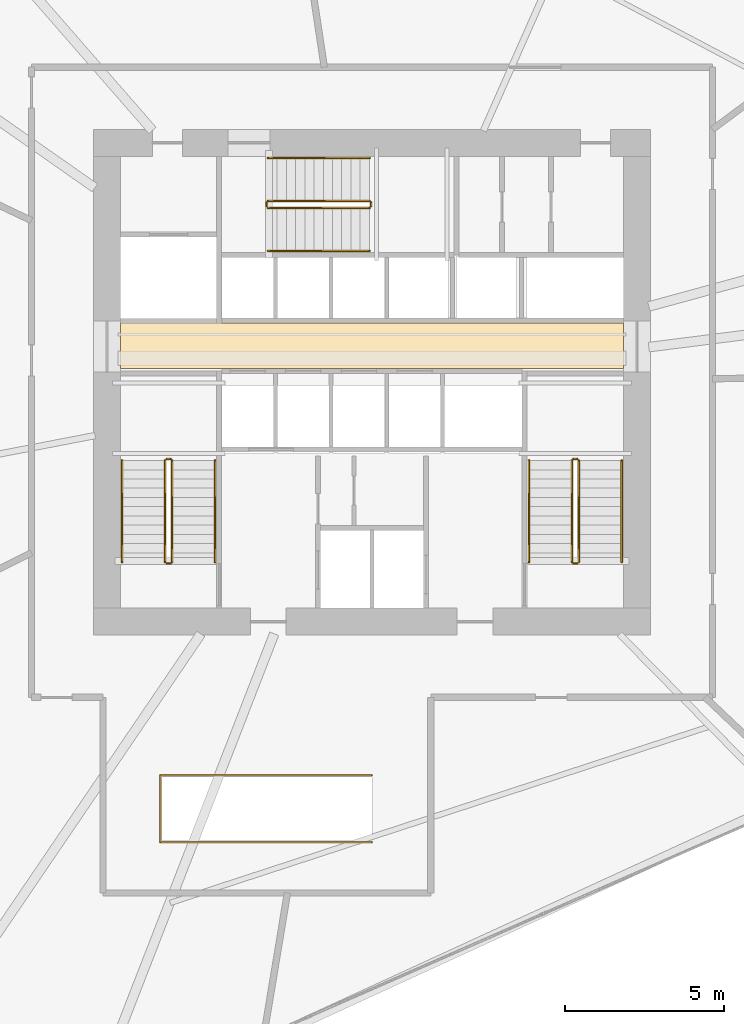
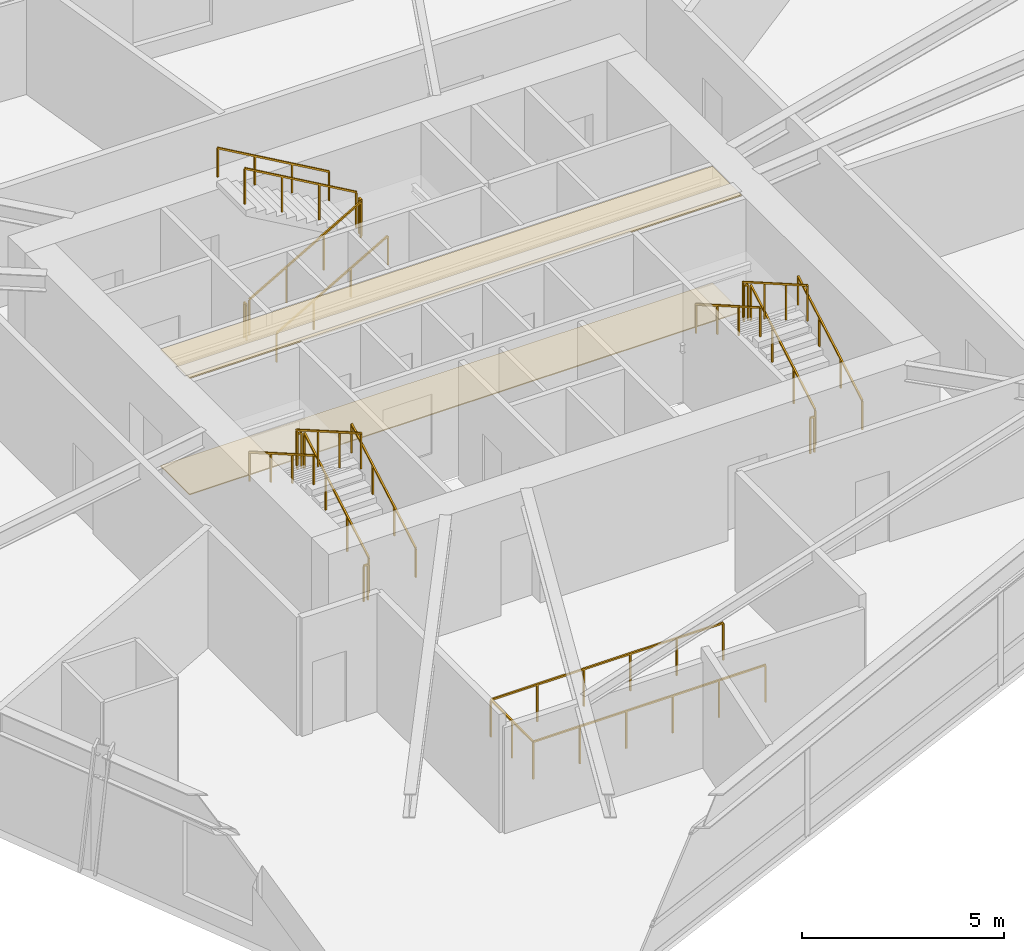
# One storey, part 17 of 17: 19 railings, 2 coverings.
"""IFC4 building model written with IfcOpenShell, lengths in metres."""

from ifc_helpers import new_model, si_unit, direction, frame, origin, origin_2d, place, context, subcontext, project, spatial, polyline, rectangle, outline, extrude, material, layer, layer_set, type_object, element, save


model = new_model("IFC4")

# Units and contexts
model_context = context("Model", 3, precision=1e-05, world=origin(), true_north=direction((0.0, 1.0)))
body_context = subcontext(model_context, "Body", "Model", "MODEL_VIEW")
ifc_project = project(units=[si_unit("LENGTHUNIT", "METRE"), si_unit("AREAUNIT", "SQUARE_METRE"), si_unit("VOLUMEUNIT", "CUBIC_METRE"), si_unit("PLANEANGLEUNIT", "RADIAN"), si_unit("MASSUNIT", "GRAM", prefix="KILO")], contexts=[model_context])

# Site, building, storey
site_placement = place(None, origin())
site = spatial("IfcSite", under=ifc_project, at=site_placement, CompositionType="ELEMENT")
building_placement = place(site_placement, origin())
building = spatial("IfcBuilding", under=site, at=building_placement, Name="Olszyna Solenne Hotel", CompositionType="ELEMENT")
storey_placement = place(building_placement, frame((0.0, 0.0, 75.89990234375)))
storey = spatial("IfcBuildingStorey", under=building, at=storey_placement, Name="L19", CompositionType="ELEMENT", Elevation=75.89990234375)

# Coverings
ifc_material_1 = material(Name="Mineral wool acoustic ceiling")
ifc_layer_1 = layer(ifc_material_1, 0.0400390625, Name="Mineral wool acoustic ceiling")
ifc_layer_set_1 = layer_set([ifc_layer_1], Name="Mineral wool acoustic ceiling")
covering_type_1 = type_object("IfcCoveringType", Name="CL-AC1", PredefinedType="CEILING", material=ifc_layer_set_1)
covering_1_placement = place(storey_placement, frame((0.0, 0.0, 3.52001953125)))
element("IfcCovering", 1, at=covering_1_placement, inside=storey, type_object=covering_type_1, Name="Lift lobby acoustic tile ceiling CL-L19-01", PredefinedType="CEILING", context=body_context, shape_type="SweptSolid", body=[
    extrude(outline(polyline([(30.10009765625, 27.030029296875), (45.89990234375, 27.030029296875), (45.89990234375, 28.4599609375), (30.10009765625, 28.4599609375), (30.10009765625, 27.030029296875)])), origin(), (0.0, 0.0, 1.0), 0.0400390625),
])
ifc_material_2 = material(Name="Ceramic floor tile")
ifc_layer_2 = layer(ifc_material_2, 0.030029296875, Name="Ceramic floor tile")
ifc_layer_set_2 = layer_set([ifc_layer_2], Name="Ceramic floor tile")
covering_type_2 = type_object("IfcCoveringType", Name="FL-TL1", PredefinedType="FLOORING", material=ifc_layer_set_2)
covering_2_placement = place(storey_placement, origin())
element("IfcCovering", 2, at=covering_2_placement, inside=storey, type_object=covering_type_2, Name="Lift lobby stoneware floor finish FLR-L19-01", PredefinedType="FLOORING", context=body_context, shape_type="SweptSolid", body=[
    extrude(outline(polyline([(30.10009765625, 27.030029296875), (45.89990234375, 27.030029296875), (45.89990234375, 28.4599609375), (30.10009765625, 28.4599609375), (30.10009765625, 27.030029296875)])), origin(), (0.0, 0.0, 1.0), 0.030029296875),
])

# Railings
ifc_material_3 = material(Name="Anodised bronze aluminium", Category="aluminium")
railing_type_1 = type_object("IfcRailingType", Name="GR-110", PredefinedType="BALUSTRADE", material=ifc_material_3)
railing_1_placement = place(storey_placement, frame((31.719970703125, 20.949951171875, 0.166748046875)))
element("IfcRailing", 3, at=railing_1_placement, inside=storey, type_object=railing_type_1, Name="L19 ST1 stair guard 1", PredefinedType="BALUSTRADE", context=body_context, shape_type="SweptSolid", body=[
    extrude(rectangle(XDim=0.048095703125, YDim=0.048095703125, at=origin_2d()), frame((0.0, 0.0, 1.076171875), z_axis=(0.0, 0.867019545617, 0.498274128887), x_axis=(-1.0, 0.0, 0.0)), (0.0, 0.0, 1.0), 3.67919921875),
    extrude(rectangle(XDim=0.0419921875, YDim=0.0419921875, at=origin_2d()), origin(), (0.0, 0.0, 1.0), 1.052001953125),
    extrude(rectangle(XDim=0.0419921875, YDim=0.0419921875, at=origin_2d()), frame((0.0, 1.063232421875, 0.611083984375)), (0.0, 0.0, 1.0), 1.052001953125),
    extrude(rectangle(XDim=0.0419921875, YDim=0.0419921875, at=origin_2d()), frame((0.0, 2.126708984375, 1.22216796875)), (0.0, 0.0, 1.0), 1.052001953125),
    extrude(rectangle(XDim=0.0419921875, YDim=0.0419921875, at=origin_2d()), frame((0.0, 3.18994140625, 1.833251953125)), (0.0, 0.0, 1.0), 1.052001953125),
])
railing_2_placement = place(storey_placement, frame((31.669921875, 24.18994140625, 2.0)))
element("IfcRailing", 4, at=railing_2_placement, inside=storey, type_object=railing_type_1, Name="L19 ST1 stair guard 2", PredefinedType="BALUSTRADE", context=body_context, shape_type="SweptSolid", body=[
    extrude(rectangle(XDim=0.048095703125, YDim=0.048095703125, at=origin_2d()), frame((0.0, 0.0, 1.076171875), z_axis=(-1.0, 0.0, 0.0), x_axis=(0.0, -1.0, 0.0)), (0.0, 0.0, 1.0), 0.119873046875),
    extrude(rectangle(XDim=0.0419921875, YDim=0.0419921875, at=origin_2d()), origin(), (0.0, 0.0, 1.0), 1.052001953125),
    extrude(rectangle(XDim=0.0419921875, YDim=0.0419921875, at=origin_2d()), frame((-0.119873046875, 0.0, 0.0)), (0.0, 0.0, 1.0), 1.052001953125),
])
railing_3_placement = place(storey_placement, frame((31.5, 24.139892578125, 2.166748046875)))
element("IfcRailing", 5, at=railing_3_placement, inside=storey, type_object=railing_type_1, Name="L19 ST1 stair guard 3", PredefinedType="BALUSTRADE", context=body_context, shape_type="SweptSolid", body=[
    extrude(rectangle(XDim=0.048095703125, YDim=0.048095703125, at=origin_2d()), frame((0.0, 0.0, 1.076171875), z_axis=(0.0, -0.867019545617, 0.498274128887), x_axis=(1.0, 0.0, 0.0)), (0.0, 0.0, 1.0), 3.67919921875),
    extrude(rectangle(XDim=0.0419921875, YDim=0.0419921875, at=origin_2d()), origin(), (0.0, 0.0, 1.0), 1.052001953125),
    extrude(rectangle(XDim=0.0419921875, YDim=0.0419921875, at=origin_2d()), frame((0.0, -1.063232421875, 0.611083984375)), (0.0, 0.0, 1.0), 1.052001953125),
    extrude(rectangle(XDim=0.0419921875, YDim=0.0419921875, at=origin_2d()), frame((0.0, -2.126708984375, 1.22216796875)), (0.0, 0.0, 1.0), 1.052001953125),
    extrude(rectangle(XDim=0.0419921875, YDim=0.0419921875, at=origin_2d()), frame((0.0, -3.18994140625, 1.833251953125)), (0.0, 0.0, 1.0), 1.052001953125),
])
railing_4_placement = place(storey_placement, frame((31.669921875, 20.89990234375, 0.0)))
element("IfcRailing", 6, at=railing_4_placement, inside=storey, type_object=railing_type_1, Name="L19 ST1 stair guard 4", PredefinedType="BALUSTRADE", context=body_context, shape_type="SweptSolid", body=[
    extrude(rectangle(XDim=0.048095703125, YDim=0.048095703125, at=origin_2d()), frame((0.0, 0.0, 1.076171875), z_axis=(-1.0, 0.0, 0.0), x_axis=(0.0, -1.0, 0.0)), (0.0, 0.0, 1.0), 0.119873046875),
    extrude(rectangle(XDim=0.0419921875, YDim=0.0419921875, at=origin_2d()), origin(), (0.0, 0.0, 1.0), 1.052001953125),
    extrude(rectangle(XDim=0.0419921875, YDim=0.0419921875, at=origin_2d()), frame((-0.119873046875, 0.0, 0.0)), (0.0, 0.0, 1.0), 1.052001953125),
])
railing_5_placement = place(storey_placement, frame((44.5, 20.949951171875, 0.166748046875)))
element("IfcRailing", 7, at=railing_5_placement, inside=storey, type_object=railing_type_1, Name="L19 ST2 stair guard 1", PredefinedType="BALUSTRADE", context=body_context, shape_type="SweptSolid", body=[
    extrude(rectangle(XDim=0.048095703125, YDim=0.048095703125, at=origin_2d()), frame((0.0, 0.0, 1.076171875), z_axis=(0.0, 0.867019545617, 0.498274128887), x_axis=(-1.0, 0.0, 0.0)), (0.0, 0.0, 1.0), 3.67919921875),
    extrude(rectangle(XDim=0.0419921875, YDim=0.0419921875, at=origin_2d()), origin(), (0.0, 0.0, 1.0), 1.052001953125),
    extrude(rectangle(XDim=0.0419921875, YDim=0.0419921875, at=origin_2d()), frame((0.0, 1.063232421875, 0.611083984375)), (0.0, 0.0, 1.0), 1.052001953125),
    extrude(rectangle(XDim=0.0419921875, YDim=0.0419921875, at=origin_2d()), frame((0.0, 2.126708984375, 1.22216796875)), (0.0, 0.0, 1.0), 1.052001953125),
    extrude(rectangle(XDim=0.0419921875, YDim=0.0419921875, at=origin_2d()), frame((0.0, 3.18994140625, 1.833251953125)), (0.0, 0.0, 1.0), 1.052001953125),
])
railing_6_placement = place(storey_placement, frame((44.449951171875, 24.18994140625, 2.0)))
element("IfcRailing", 8, at=railing_6_placement, inside=storey, type_object=railing_type_1, Name="L19 ST2 stair guard 2", PredefinedType="BALUSTRADE", context=body_context, shape_type="SweptSolid", body=[
    extrude(rectangle(XDim=0.048095703125, YDim=0.048095703125, at=origin_2d()), frame((0.0, 0.0, 1.076171875), z_axis=(-1.0, 0.0, 0.0), x_axis=(0.0, -1.0, 0.0)), (0.0, 0.0, 1.0), 0.119873046875),
    extrude(rectangle(XDim=0.0419921875, YDim=0.0419921875, at=origin_2d()), origin(), (0.0, 0.0, 1.0), 1.052001953125),
    extrude(rectangle(XDim=0.0419921875, YDim=0.0419921875, at=origin_2d()), frame((-0.119873046875, 0.0, 0.0)), (0.0, 0.0, 1.0), 1.052001953125),
])
railing_7_placement = place(storey_placement, frame((44.280029296875, 24.139892578125, 2.166748046875)))
element("IfcRailing", 9, at=railing_7_placement, inside=storey, type_object=railing_type_1, Name="L19 ST2 stair guard 3", PredefinedType="BALUSTRADE", context=body_context, shape_type="SweptSolid", body=[
    extrude(rectangle(XDim=0.048095703125, YDim=0.048095703125, at=origin_2d()), frame((0.0, 0.0, 1.076171875), z_axis=(0.0, -0.867019545617, 0.498274128887), x_axis=(1.0, 0.0, 0.0)), (0.0, 0.0, 1.0), 3.67919921875),
    extrude(rectangle(XDim=0.0419921875, YDim=0.0419921875, at=origin_2d()), origin(), (0.0, 0.0, 1.0), 1.052001953125),
    extrude(rectangle(XDim=0.0419921875, YDim=0.0419921875, at=origin_2d()), frame((0.0, -1.063232421875, 0.611083984375)), (0.0, 0.0, 1.0), 1.052001953125),
    extrude(rectangle(XDim=0.0419921875, YDim=0.0419921875, at=origin_2d()), frame((0.0, -2.126708984375, 1.22216796875)), (0.0, 0.0, 1.0), 1.052001953125),
    extrude(rectangle(XDim=0.0419921875, YDim=0.0419921875, at=origin_2d()), frame((0.0, -3.18994140625, 1.833251953125)), (0.0, 0.0, 1.0), 1.052001953125),
])
railing_8_placement = place(storey_placement, frame((44.449951171875, 20.89990234375, 0.0)))
element("IfcRailing", 10, at=railing_8_placement, inside=storey, type_object=railing_type_1, Name="L19 ST2 stair guard 4", PredefinedType="BALUSTRADE", context=body_context, shape_type="SweptSolid", body=[
    extrude(rectangle(XDim=0.048095703125, YDim=0.048095703125, at=origin_2d()), frame((0.0, 0.0, 1.076171875), z_axis=(-1.0, 0.0, 0.0), x_axis=(0.0, -1.0, 0.0)), (0.0, 0.0, 1.0), 0.119873046875),
    extrude(rectangle(XDim=0.0419921875, YDim=0.0419921875, at=origin_2d()), origin(), (0.0, 0.0, 1.0), 1.052001953125),
    extrude(rectangle(XDim=0.0419921875, YDim=0.0419921875, at=origin_2d()), frame((-0.119873046875, 0.0, 0.0)), (0.0, 0.0, 1.0), 1.052001953125),
])
railing_9_placement = place(storey_placement, frame((34.72998046875, 32.080078125, 0.166748046875)))
element("IfcRailing", 11, at=railing_9_placement, inside=storey, type_object=railing_type_1, Name="L19 ST3 stair guard 1", PredefinedType="BALUSTRADE", context=body_context, shape_type="SweptSolid", body=[
    extrude(rectangle(XDim=0.048095703125, YDim=0.048095703125, at=origin_2d()), frame((0.0, 0.0, 1.076171875), z_axis=(0.867019545617, 0.0, 0.498274128887), x_axis=(0.0, 1.0, 0.0)), (0.0, 0.0, 1.0), 3.67919921875),
    extrude(rectangle(XDim=0.0419921875, YDim=0.0419921875, at=origin_2d()), origin(), (0.0, 0.0, 1.0), 1.052001953125),
    extrude(rectangle(XDim=0.0419921875, YDim=0.0419921875, at=origin_2d()), frame((1.063232421875, 0.0, 0.611083984375)), (0.0, 0.0, 1.0), 1.052001953125),
    extrude(rectangle(XDim=0.0419921875, YDim=0.0419921875, at=origin_2d()), frame((2.126708984375, 0.0, 1.22216796875)), (0.0, 0.0, 1.0), 1.052001953125),
    extrude(rectangle(XDim=0.0419921875, YDim=0.0419921875, at=origin_2d()), frame((3.18994140625, 0.0, 1.833251953125)), (0.0, 0.0, 1.0), 1.052001953125),
])
railing_10_placement = place(storey_placement, frame((37.969970703125, 32.1298828125, 2.0)))
element("IfcRailing", 12, at=railing_10_placement, inside=storey, type_object=railing_type_1, Name="L19 ST3 stair guard 2", PredefinedType="BALUSTRADE", context=body_context, shape_type="SweptSolid", body=[
    extrude(rectangle(XDim=0.048095703125, YDim=0.048095703125, at=origin_2d()), frame((0.0, 0.0, 1.076171875), z_axis=(0.0, 1.0, 0.0), x_axis=(-1.0, 0.0, 0.0)), (0.0, 0.0, 1.0), 0.1201171875),
    extrude(rectangle(XDim=0.0419921875, YDim=0.0419921875, at=origin_2d()), origin(), (0.0, 0.0, 1.0), 1.052001953125),
    extrude(rectangle(XDim=0.0419921875, YDim=0.0419921875, at=origin_2d()), frame((0.0, 0.1201171875, 0.0)), (0.0, 0.0, 1.0), 1.052001953125),
])
railing_11_placement = place(storey_placement, frame((37.919921875, 32.300048828125, 2.166748046875)))
element("IfcRailing", 13, at=railing_11_placement, inside=storey, type_object=railing_type_1, Name="L19 ST3 stair guard 3", PredefinedType="BALUSTRADE", context=body_context, shape_type="SweptSolid", body=[
    extrude(rectangle(XDim=0.048095703125, YDim=0.048095703125, at=origin_2d()), frame((0.0, 0.0, 1.076171875), z_axis=(-0.867019545617, 0.0, 0.498274128887), x_axis=(0.0, -1.0, 0.0)), (0.0, 0.0, 1.0), 3.67919921875),
    extrude(rectangle(XDim=0.0419921875, YDim=0.0419921875, at=origin_2d()), origin(), (0.0, 0.0, 1.0), 1.052001953125),
    extrude(rectangle(XDim=0.0419921875, YDim=0.0419921875, at=origin_2d()), frame((-1.063232421875, 0.0, 0.611083984375)), (0.0, 0.0, 1.0), 1.052001953125),
    extrude(rectangle(XDim=0.0419921875, YDim=0.0419921875, at=origin_2d()), frame((-2.126708984375, 0.0, 1.22216796875)), (0.0, 0.0, 1.0), 1.052001953125),
    extrude(rectangle(XDim=0.0419921875, YDim=0.0419921875, at=origin_2d()), frame((-3.18994140625, 0.0, 1.833251953125)), (0.0, 0.0, 1.0), 1.052001953125),
])
railing_12_placement = place(storey_placement, frame((34.679931640625, 32.1298828125, 0.0)))
element("IfcRailing", 14, at=railing_12_placement, inside=storey, type_object=railing_type_1, Name="L19 ST3 stair guard 4", PredefinedType="BALUSTRADE", context=body_context, shape_type="SweptSolid", body=[
    extrude(rectangle(XDim=0.048095703125, YDim=0.048095703125, at=origin_2d()), frame((0.0, 0.0, 1.076171875), z_axis=(0.0, 1.0, 0.0), x_axis=(-1.0, 0.0, 0.0)), (0.0, 0.0, 1.0), 0.1201171875),
    extrude(rectangle(XDim=0.0419921875, YDim=0.0419921875, at=origin_2d()), origin(), (0.0, 0.0, 1.0), 1.052001953125),
    extrude(rectangle(XDim=0.0419921875, YDim=0.0419921875, at=origin_2d()), frame((0.0, 0.1201171875, 0.0)), (0.0, 0.0, 1.0), 1.052001953125),
])
railing_13_placement = place(storey_placement, frame((38.0, 12.14990234375, 0.0)))
element("IfcRailing", 15, at=railing_13_placement, inside=storey, type_object=railing_type_1, Name="Atrium stair well guard balustrade GR-L19-VD", PredefinedType="BALUSTRADE", context=body_context, shape_type="SweptSolid", body=[
    extrude(rectangle(XDim=0.048095703125, YDim=0.048095703125, at=origin_2d()), frame((0.0, 0.0, 1.1259765625), z_axis=(-1.0, 0.0, 0.0), x_axis=(0.0, -1.0, 0.0)), (0.0, 0.0, 1.0), 6.64990234375),
    extrude(rectangle(XDim=0.048095703125, YDim=0.048095703125, at=origin_2d()), frame((-6.64990234375, 0.0, 1.1259765625), z_axis=(0.0, 1.0, 0.0), x_axis=(-1.0, 0.0, 0.0)), (0.0, 0.0, 1.0), 2.10009765625),
    extrude(rectangle(XDim=0.048095703125, YDim=0.048095703125, at=origin_2d()), frame((-6.64990234375, 2.10009765625, 1.1259765625), z_axis=(1.0, 0.0, 0.0), x_axis=(0.0, 1.0, 0.0)), (0.0, 0.0, 1.0), 6.64990234375),
    extrude(rectangle(XDim=0.0419921875, YDim=0.0419921875, at=origin_2d()), origin(), (0.0, 0.0, 1.0), 1.101806640625),
    extrude(rectangle(XDim=0.0419921875, YDim=0.0419921875, at=origin_2d()), frame((-1.330078125, 0.0, 0.0)), (0.0, 0.0, 1.0), 1.101806640625),
    extrude(rectangle(XDim=0.0419921875, YDim=0.0419921875, at=origin_2d()), frame((-2.659912109375, 0.0, 0.0)), (0.0, 0.0, 1.0), 1.101806640625),
    extrude(rectangle(XDim=0.0419921875, YDim=0.0419921875, at=origin_2d()), frame((-3.989990234375, 0.0, 0.0)), (0.0, 0.0, 1.0), 1.101806640625),
    extrude(rectangle(XDim=0.0419921875, YDim=0.0419921875, at=origin_2d()), frame((-5.31982421875, 0.0, 0.0)), (0.0, 0.0, 1.0), 1.101806640625),
    extrude(rectangle(XDim=0.0419921875, YDim=0.0419921875, at=origin_2d()), frame((-6.64990234375, 0.0, 0.0)), (0.0, 0.0, 1.0), 1.101806640625),
    extrude(rectangle(XDim=0.0419921875, YDim=0.0419921875, at=origin_2d()), frame((-6.64990234375, 1.050048828125, 0.0)), (0.0, 0.0, 1.0), 1.101806640625),
    extrude(rectangle(XDim=0.0419921875, YDim=0.0419921875, at=origin_2d()), frame((-6.64990234375, 2.10009765625, 0.0)), (0.0, 0.0, 1.0), 1.101806640625),
    extrude(rectangle(XDim=0.0419921875, YDim=0.0419921875, at=origin_2d()), frame((-5.31982421875, 2.10009765625, 0.0)), (0.0, 0.0, 1.0), 1.101806640625),
    extrude(rectangle(XDim=0.0419921875, YDim=0.0419921875, at=origin_2d()), frame((-3.989990234375, 2.10009765625, 0.0)), (0.0, 0.0, 1.0), 1.101806640625),
    extrude(rectangle(XDim=0.0419921875, YDim=0.0419921875, at=origin_2d()), frame((-2.659912109375, 2.10009765625, 0.0)), (0.0, 0.0, 1.0), 1.101806640625),
    extrude(rectangle(XDim=0.0419921875, YDim=0.0419921875, at=origin_2d()), frame((-1.330078125, 2.10009765625, 0.0)), (0.0, 0.0, 1.0), 1.101806640625),
    extrude(rectangle(XDim=0.0419921875, YDim=0.0419921875, at=origin_2d()), frame((0.0, 2.10009765625, 0.0)), (0.0, 0.0, 1.0), 1.101806640625),
])
ifc_material_4 = material(Name="Steel S355J2", Category="steel")
railing_type_2 = type_object("IfcRailingType", Name="HR-090", PredefinedType="HANDRAIL", material=ifc_material_4)
railing_14_placement = place(storey_placement, frame((33.070068359375, 20.949951171875, 0.166748046875)))
element("IfcRailing", 16, at=railing_14_placement, inside=storey, type_object=railing_type_2, Name="L19 ST1 stair handrail 1", PredefinedType="HANDRAIL", context=body_context, shape_type="SweptSolid", body=[
    extrude(rectangle(XDim=0.048095703125, YDim=0.048095703125, at=origin_2d()), frame((0.0, 0.0, 0.8759765625), z_axis=(0.0, 0.867019545617, 0.498274128887), x_axis=(-1.0, 0.0, 0.0)), (0.0, 0.0, 1.0), 3.67919921875),
    extrude(rectangle(XDim=0.0419921875, YDim=0.0419921875, at=origin_2d()), origin(), (0.0, 0.0, 1.0), 0.851806640625),
    extrude(rectangle(XDim=0.0419921875, YDim=0.0419921875, at=origin_2d()), frame((0.0, 1.063232421875, 0.611083984375)), (0.0, 0.0, 1.0), 0.851806640625),
    extrude(rectangle(XDim=0.0419921875, YDim=0.0419921875, at=origin_2d()), frame((0.0, 2.126708984375, 1.22216796875)), (0.0, 0.0, 1.0), 0.851806640625),
    extrude(rectangle(XDim=0.0419921875, YDim=0.0419921875, at=origin_2d()), frame((0.0, 3.18994140625, 1.833251953125)), (0.0, 0.0, 1.0), 0.851806640625),
])
railing_15_placement = place(storey_placement, frame((30.14990234375, 24.139892578125, 2.166748046875)))
element("IfcRailing", 17, at=railing_15_placement, inside=storey, type_object=railing_type_2, Name="L19 ST1 stair handrail 2", PredefinedType="HANDRAIL", context=body_context, shape_type="SweptSolid", body=[
    extrude(rectangle(XDim=0.048095703125, YDim=0.048095703125, at=origin_2d()), frame((0.0, 0.0, 0.8759765625), z_axis=(0.0, -0.867019545617, 0.498274128887), x_axis=(1.0, 0.0, 0.0)), (0.0, 0.0, 1.0), 3.67919921875),
    extrude(rectangle(XDim=0.0419921875, YDim=0.0419921875, at=origin_2d()), origin(), (0.0, 0.0, 1.0), 0.851806640625),
    extrude(rectangle(XDim=0.0419921875, YDim=0.0419921875, at=origin_2d()), frame((0.0, -1.063232421875, 0.611083984375)), (0.0, 0.0, 1.0), 0.851806640625),
    extrude(rectangle(XDim=0.0419921875, YDim=0.0419921875, at=origin_2d()), frame((0.0, -2.126708984375, 1.22216796875)), (0.0, 0.0, 1.0), 0.851806640625),
    extrude(rectangle(XDim=0.0419921875, YDim=0.0419921875, at=origin_2d()), frame((0.0, -3.18994140625, 1.833251953125)), (0.0, 0.0, 1.0), 0.851806640625),
])
railing_16_placement = place(storey_placement, frame((45.85009765625, 20.949951171875, 0.166748046875)))
element("IfcRailing", 18, at=railing_16_placement, inside=storey, type_object=railing_type_2, Name="L19 ST2 stair handrail 1", PredefinedType="HANDRAIL", context=body_context, shape_type="SweptSolid", body=[
    extrude(rectangle(XDim=0.048095703125, YDim=0.048095703125, at=origin_2d()), frame((0.0, 0.0, 0.8759765625), z_axis=(0.0, 0.867019545617, 0.498274128887), x_axis=(-1.0, 0.0, 0.0)), (0.0, 0.0, 1.0), 3.67919921875),
    extrude(rectangle(XDim=0.0419921875, YDim=0.0419921875, at=origin_2d()), origin(), (0.0, 0.0, 1.0), 0.851806640625),
    extrude(rectangle(XDim=0.0419921875, YDim=0.0419921875, at=origin_2d()), frame((0.0, 1.063232421875, 0.611083984375)), (0.0, 0.0, 1.0), 0.851806640625),
    extrude(rectangle(XDim=0.0419921875, YDim=0.0419921875, at=origin_2d()), frame((0.0, 2.126708984375, 1.22216796875)), (0.0, 0.0, 1.0), 0.851806640625),
    extrude(rectangle(XDim=0.0419921875, YDim=0.0419921875, at=origin_2d()), frame((0.0, 3.18994140625, 1.833251953125)), (0.0, 0.0, 1.0), 0.851806640625),
])
railing_17_placement = place(storey_placement, frame((42.929931640625, 24.139892578125, 2.166748046875)))
element("IfcRailing", 19, at=railing_17_placement, inside=storey, type_object=railing_type_2, Name="L19 ST2 stair handrail 2", PredefinedType="HANDRAIL", context=body_context, shape_type="SweptSolid", body=[
    extrude(rectangle(XDim=0.048095703125, YDim=0.048095703125, at=origin_2d()), frame((0.0, 0.0, 0.8759765625), z_axis=(0.0, -0.867019545617, 0.498274128887), x_axis=(1.0, 0.0, 0.0)), (0.0, 0.0, 1.0), 3.67919921875),
    extrude(rectangle(XDim=0.0419921875, YDim=0.0419921875, at=origin_2d()), origin(), (0.0, 0.0, 1.0), 0.851806640625),
    extrude(rectangle(XDim=0.0419921875, YDim=0.0419921875, at=origin_2d()), frame((0.0, -1.063232421875, 0.611083984375)), (0.0, 0.0, 1.0), 0.851806640625),
    extrude(rectangle(XDim=0.0419921875, YDim=0.0419921875, at=origin_2d()), frame((0.0, -2.126708984375, 1.22216796875)), (0.0, 0.0, 1.0), 0.851806640625),
    extrude(rectangle(XDim=0.0419921875, YDim=0.0419921875, at=origin_2d()), frame((0.0, -3.18994140625, 1.833251953125)), (0.0, 0.0, 1.0), 0.851806640625),
])
railing_18_placement = place(storey_placement, frame((34.72998046875, 30.72998046875, 0.166748046875)))
element("IfcRailing", 20, at=railing_18_placement, inside=storey, type_object=railing_type_2, Name="L19 ST3 stair handrail 1", PredefinedType="HANDRAIL", context=body_context, shape_type="SweptSolid", body=[
    extrude(rectangle(XDim=0.048095703125, YDim=0.048095703125, at=origin_2d()), frame((0.0, 0.0, 0.8759765625), z_axis=(0.867019545617, 0.0, 0.498274128887), x_axis=(0.0, 1.0, 0.0)), (0.0, 0.0, 1.0), 3.67919921875),
    extrude(rectangle(XDim=0.0419921875, YDim=0.0419921875, at=origin_2d()), origin(), (0.0, 0.0, 1.0), 0.851806640625),
    extrude(rectangle(XDim=0.0419921875, YDim=0.0419921875, at=origin_2d()), frame((1.063232421875, 0.0, 0.611083984375)), (0.0, 0.0, 1.0), 0.851806640625),
    extrude(rectangle(XDim=0.0419921875, YDim=0.0419921875, at=origin_2d()), frame((2.126708984375, 0.0, 1.22216796875)), (0.0, 0.0, 1.0), 0.851806640625),
    extrude(rectangle(XDim=0.0419921875, YDim=0.0419921875, at=origin_2d()), frame((3.18994140625, 0.0, 1.833251953125)), (0.0, 0.0, 1.0), 0.851806640625),
])
railing_19_placement = place(storey_placement, frame((37.919921875, 33.64990234375, 2.166748046875)))
element("IfcRailing", 21, at=railing_19_placement, inside=storey, type_object=railing_type_2, Name="L19 ST3 stair handrail 2", PredefinedType="HANDRAIL", context=body_context, shape_type="SweptSolid", body=[
    extrude(rectangle(XDim=0.048095703125, YDim=0.048095703125, at=origin_2d()), frame((0.0, 0.0, 0.8759765625), z_axis=(-0.867019545617, 0.0, 0.498274128887), x_axis=(0.0, -1.0, 0.0)), (0.0, 0.0, 1.0), 3.67919921875),
    extrude(rectangle(XDim=0.0419921875, YDim=0.0419921875, at=origin_2d()), origin(), (0.0, 0.0, 1.0), 0.851806640625),
    extrude(rectangle(XDim=0.0419921875, YDim=0.0419921875, at=origin_2d()), frame((-1.063232421875, 0.0, 0.611083984375)), (0.0, 0.0, 1.0), 0.851806640625),
    extrude(rectangle(XDim=0.0419921875, YDim=0.0419921875, at=origin_2d()), frame((-2.126708984375, 0.0, 1.22216796875)), (0.0, 0.0, 1.0), 0.851806640625),
    extrude(rectangle(XDim=0.0419921875, YDim=0.0419921875, at=origin_2d()), frame((-3.18994140625, 0.0, 1.833251953125)), (0.0, 0.0, 1.0), 0.851806640625),
])

save(model, "model.ifc")
